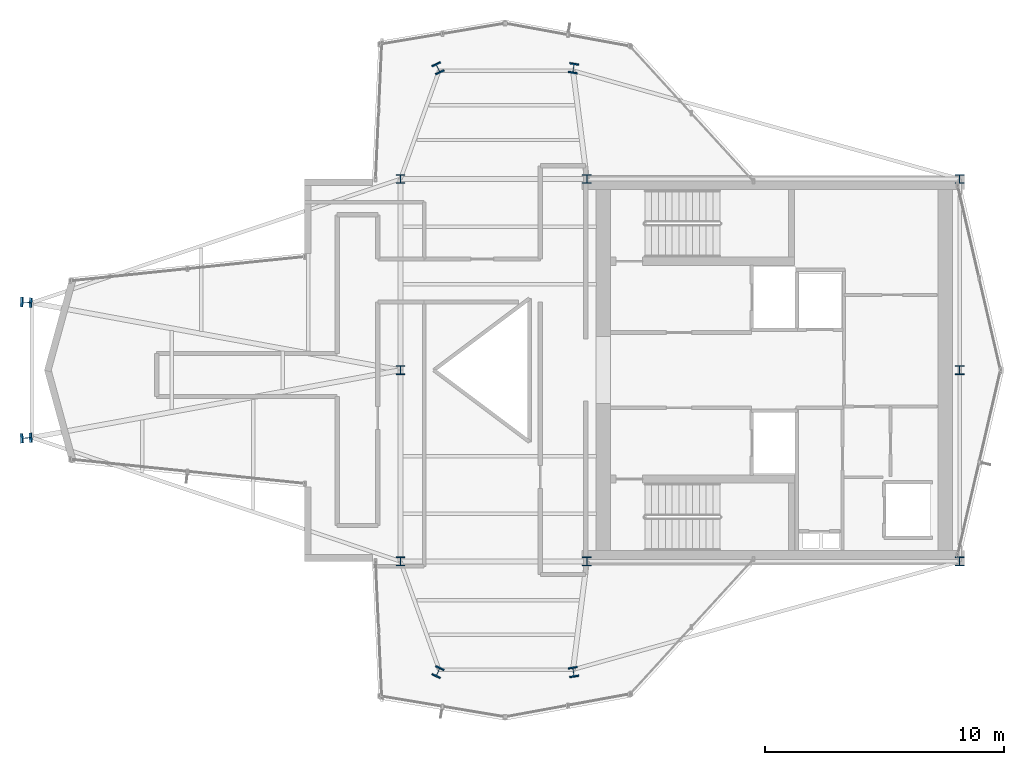
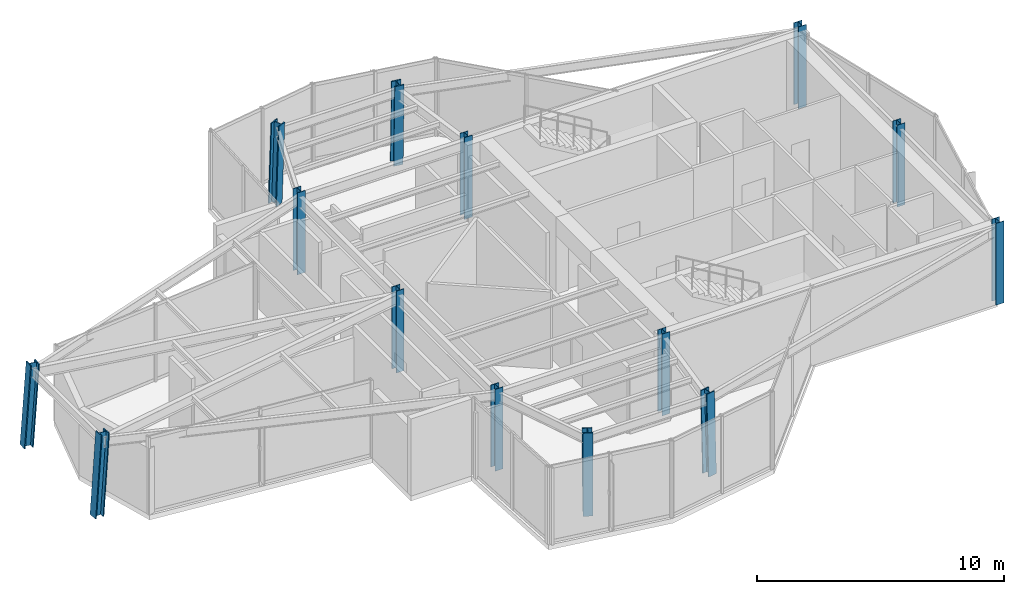
# One storey, part 1 of 13: 14 columns.
"""IFC4 building model written with IfcOpenShell, lengths in metres."""

from ifc_helpers import new_model, si_unit, direction, frame, origin, origin_2d, place, context, subcontext, project, spatial, i_section, extrude, material, material_profile, profile_set, type_object, element, save


model = new_model("IFC4")

# Units and contexts
model_context = context("Model", 3, precision=1e-05, world=origin(), true_north=direction((0.0, 1.0)))
body_context = subcontext(model_context, "Body", "Model", "MODEL_VIEW")
ifc_project = project(units=[si_unit("LENGTHUNIT", "METRE"), si_unit("AREAUNIT", "SQUARE_METRE"), si_unit("VOLUMEUNIT", "CUBIC_METRE"), si_unit("PLANEANGLEUNIT", "RADIAN"), si_unit("MASSUNIT", "GRAM", prefix="KILO")], contexts=[model_context])

# Site, building, storey
site_placement = place(None, origin())
site = spatial("IfcSite", under=ifc_project, at=site_placement, CompositionType="ELEMENT")
building_placement = place(site_placement, origin())
building = spatial("IfcBuilding", under=site, at=building_placement, Name="Veymaron Broadcast Tower", CompositionType="ELEMENT")
storey_placement = place(building_placement, frame((0.0, 0.0, 287.10009765625)))
storey = spatial("IfcBuildingStorey", under=building, at=storey_placement, Name="L67", CompositionType="ELEMENT", Elevation=287.10009765625)

# Columns
ifc_material_1 = material(Name="Structural steel ASTM A992 Gr 50", Category="steel")
ifc_material_profile_1 = material_profile(ifc_material_1, i_section(OverallWidth=0.373046875, OverallDepth=0.367919921875, WebThickness=0.014892578125, FlangeThickness=0.02392578125, at=origin_2d()), Name="W360X179")
ifc_profile_set_1 = profile_set([ifc_material_profile_1], Name="Structural steel ASTM A992 Gr 50")
column_type_1 = type_object("IfcColumnType", Name="COL-HC4", PredefinedType="COLUMN", material=ifc_profile_set_1)
for number, where, z_axis, x_axis, name in (
    (1, (31.199951171875, 16.0, 0.0), (0.0, 0.0, 1.0), (1.0, 0.0, 0.0), "L67 structural hub and core column"),
    (2, (31.199951171875, 24.0, 0.0), (0.0, 0.0, 1.0), (1.0, 0.0, 0.0), "L67 structural hub and core column"),
    (3, (31.199951171875, 32.0, 0.0), (0.0, 0.0, 1.0), (1.0, 0.0, 0.0), "L67 structural hub and core column"),
    (4, (39.0, 16.0, 0.0), (0.0, 0.0, 1.0), (1.0, 0.0, 0.0), "L67 structural hub and core column"),
    (5, (39.0, 32.0, 0.0), (0.0, 0.0, 1.0), (1.0, 0.0, 0.0), "L67 structural hub and core column"),
    (6, (54.60009765625, 16.0, 0.0), (0.0, 0.0, 1.0), (1.0, 0.0, 0.0), "L67 structural hub and core column"),
    (7, (54.60009765625, 24.0, 0.0), (0.0, 0.0, 1.0), (1.0, 0.0, 0.0), "L67 structural hub and core column"),
    (8, (54.60009765625, 32.0, 0.0), (0.0, 0.0, 1.0), (1.0, 0.0, 0.0), "L67 structural hub and core column"),
):
    element("IfcColumn", number, at=place(storey_placement, frame(where, z_axis=z_axis, x_axis=x_axis)), inside=storey, type_object=column_type_1, Name=name, PredefinedType="COLUMN", context=body_context, shape_type="SweptSolid", body=[
        extrude(i_section(OverallWidth=0.373046875, OverallDepth=0.367919921875, WebThickness=0.014892578125, FlangeThickness=0.02392578125, at=origin_2d()), origin(), (0.0, 0.0, 1.0), 4.0439453125),
    ])
ifc_material_2 = material(Name="Structural steel ASTM A913 Gr 65", Category="steel")
ifc_material_profile_2 = material_profile(ifc_material_2, i_section(OverallWidth=0.406005859375, OverallDepth=0.416015625, WebThickness=0.02978515625, FlangeThickness=0.048095703125, at=origin_2d()), Name="W360X382")
ifc_profile_set_2 = profile_set([ifc_material_profile_2], Name="Structural steel ASTM A913 Gr 65")
column_type_2 = type_object("IfcColumnType", Name="COL-MC4", PredefinedType="COLUMN", material=ifc_profile_set_2)
for number, where, z_axis, x_axis, name in (
    (9, (15.50048828125, 21.157958984375, 0.015869140625), (0.068497506534, 0.004970615518, 0.997638904905), (-0.07237606013, 0.997377413981, 0.0), "L67 Tapered Wing Mega Column"),
    (10, (15.50048828125, 26.842041015625, 0.015869140625), (0.068497506534, -0.004970615518, 0.997638904905), (0.07237606013, 0.997377413981, 0.0), "L67 Tapered Wing Mega Column"),
):
    element("IfcColumn", number, at=place(storey_placement, frame(where, z_axis=z_axis, x_axis=x_axis)), inside=storey, type_object=column_type_2, Name=name, PredefinedType="COLUMN", context=body_context, shape_type="SweptSolid", body=[
        extrude(i_section(OverallWidth=0.406005859375, OverallDepth=0.416015625, WebThickness=0.02978515625, FlangeThickness=0.048095703125, at=origin_2d()), origin(), (0.0, 0.0, 1.0), 4.027587890625),
    ])
column_1_placement = place(storey_placement, frame((32.762451171875, 36.652099609375, 0.015869140625), z_axis=(0.013906647751, -0.029878037962, 0.999456806468), x_axis=(0.906606370736, 0.421977355485, 0.0)))
element("IfcColumn", 11, at=column_1_placement, inside=storey, type_object=column_type_2, Name="L67 Tapered Wing Mega Column", PredefinedType="COLUMN", context=body_context, shape_type="SweptSolid", body=[
    extrude(i_section(OverallWidth=0.406005859375, OverallDepth=0.416015625, WebThickness=0.02978515625, FlangeThickness=0.048095703125, at=origin_2d()), origin(), (0.0, 0.0, 1.0), 4.020263671875),
])
column_2_placement = place(storey_placement, frame((38.44189453125, 36.652099609375, 0.015869140625), z_axis=(-0.004919361467, -0.029880565948, 0.99954137066), x_axis=(0.986717213658, -0.162447346151, 0.0)))
element("IfcColumn", 12, at=column_2_placement, inside=storey, type_object=column_type_2, Name="L67 Tapered Wing Mega Column", PredefinedType="COLUMN", context=body_context, shape_type="SweptSolid", body=[
    extrude(i_section(OverallWidth=0.406005859375, OverallDepth=0.416015625, WebThickness=0.02978515625, FlangeThickness=0.048095703125, at=origin_2d()), origin(), (0.0, 0.0, 1.0), 4.02001953125),
])
column_3_placement = place(storey_placement, frame((32.762451171875, 11.347900390625, 0.015869140625), z_axis=(0.013906647751, 0.029878037962, 0.999456806468), x_axis=(-0.906606370736, 0.421977355485, 0.0)))
element("IfcColumn", 13, at=column_3_placement, inside=storey, type_object=column_type_2, Name="L67 Tapered Wing Mega Column", PredefinedType="COLUMN", context=body_context, shape_type="SweptSolid", body=[
    extrude(i_section(OverallWidth=0.406005859375, OverallDepth=0.416015625, WebThickness=0.02978515625, FlangeThickness=0.048095703125, at=origin_2d()), origin(), (0.0, 0.0, 1.0), 4.020263671875),
])
column_4_placement = place(storey_placement, frame((38.44189453125, 11.347900390625, 0.015869140625), z_axis=(-0.004919361467, 0.029880565948, 0.99954137066), x_axis=(-0.986717213658, -0.162447346151, 0.0)))
element("IfcColumn", 14, at=column_4_placement, inside=storey, type_object=column_type_2, Name="L67 Tapered Wing Mega Column", PredefinedType="COLUMN", context=body_context, shape_type="SweptSolid", body=[
    extrude(i_section(OverallWidth=0.406005859375, OverallDepth=0.416015625, WebThickness=0.02978515625, FlangeThickness=0.048095703125, at=origin_2d()), origin(), (0.0, 0.0, 1.0), 4.02001953125),
])

save(model, "model.ifc")
